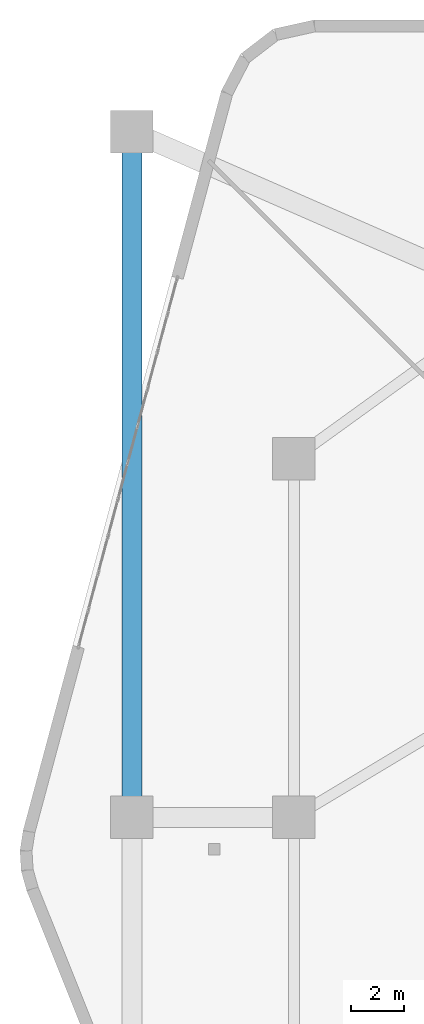
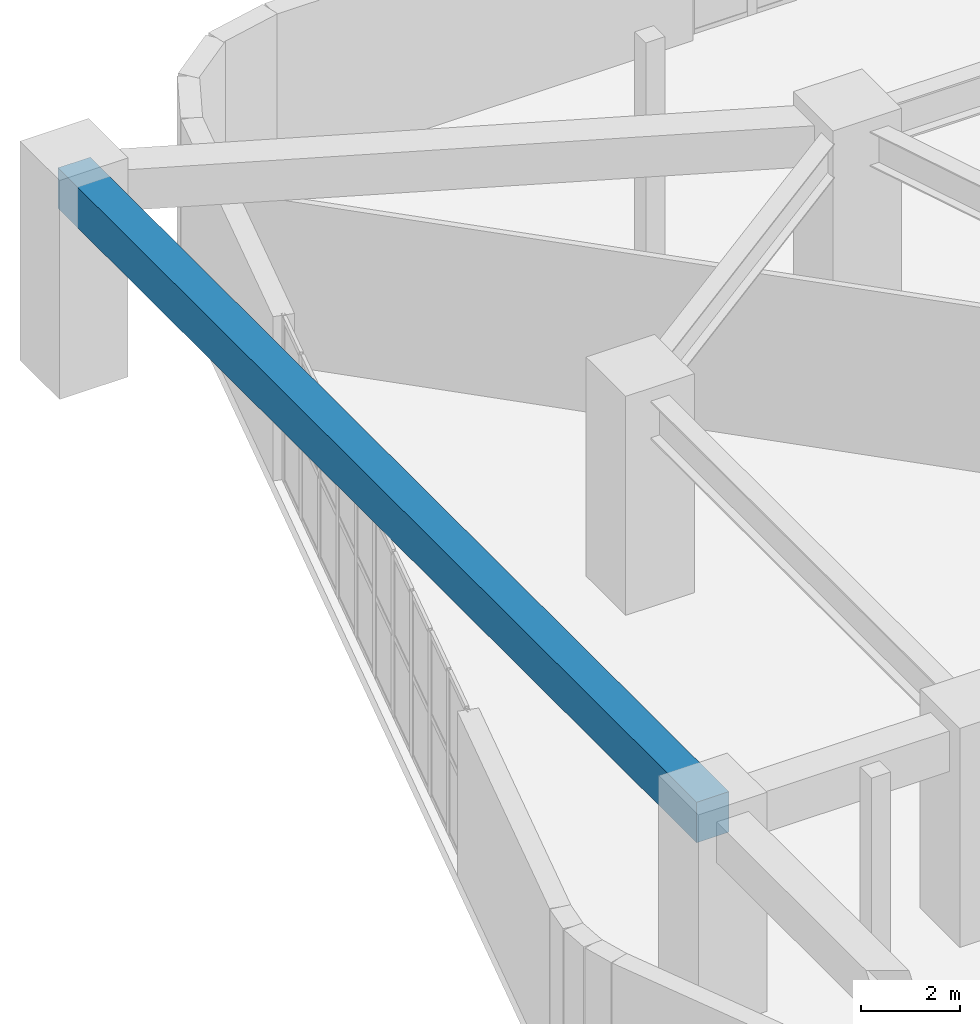
# One storey, part 14 of 34: 1 beam.
"""IFC4 building model written with IfcOpenShell, lengths in metres."""

from ifc_helpers import new_model, si_unit, direction, frame, origin, origin_2d, place, context, subcontext, project, spatial, rectangle, extrude, material, material_profile, profile_set, type_object, element, save


model = new_model("IFC4")

# Units and contexts
model_context = context("Model", 3, precision=1e-05, world=origin(), true_north=direction((0.0, 1.0)))
body_context = subcontext(model_context, "Body", "Model", "MODEL_VIEW")
ifc_project = project(units=[si_unit("LENGTHUNIT", "METRE"), si_unit("AREAUNIT", "SQUARE_METRE"), si_unit("VOLUMEUNIT", "CUBIC_METRE"), si_unit("PLANEANGLEUNIT", "RADIAN"), si_unit("MASSUNIT", "GRAM", prefix="KILO")], contexts=[model_context])

# Site, building, storey
site_placement = place(None, origin())
site = spatial("IfcSite", under=ifc_project, at=site_placement, CompositionType="ELEMENT")
building_placement = place(site_placement, origin())
building = spatial("IfcBuilding", under=site, at=building_placement, Name="Kilnhurst Terrace Hotel", CompositionType="ELEMENT")
storey_placement = place(building_placement, frame((0.0, 0.0, 6.0)))
storey = spatial("IfcBuildingStorey", under=building, at=storey_placement, Name="L01", CompositionType="ELEMENT", Elevation=6.0)

# Beam
ifc_material = material(Name="Concrete C50/60", Category="concrete")
ifc_material_profile = material_profile(ifc_material, rectangle(XDim=0.75, YDim=1.0, at=origin_2d()), Name="RC750X1000")
ifc_profile_set = profile_set([ifc_material_profile], Name="Concrete C50/60")
beam_type = type_object("IfcBeamType", Name="TBM-GAR-750X1000", PredefinedType="T_BEAM", material=ifc_profile_set)
beam_placement = place(storey_placement, frame((-27.60009765625, 0.0, 4.580078125), z_axis=(0.0, 1.0, 0.0), x_axis=(-1.0, 0.0, 0.0)))
element("IfcBeam", 1, at=beam_placement, inside=storey, type_object=beam_type, Name="L01 Outer Ring Tee Beam 2", PredefinedType="T_BEAM", context=body_context, shape_type="SweptSolid", body=[
    extrude(rectangle(XDim=0.75, YDim=1.0, at=origin_2d()), origin(), (0.0, 0.0, 1.0), 25.800048828125),
])

save(model, "model.ifc")
